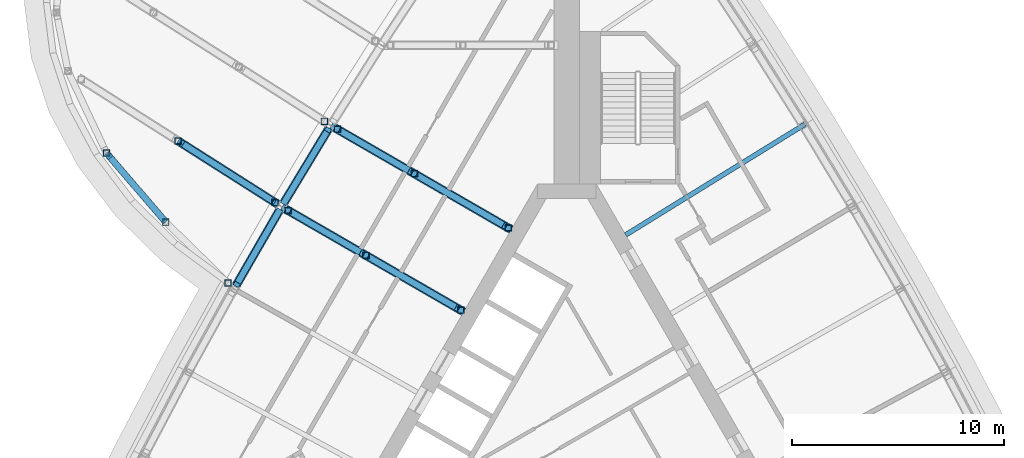
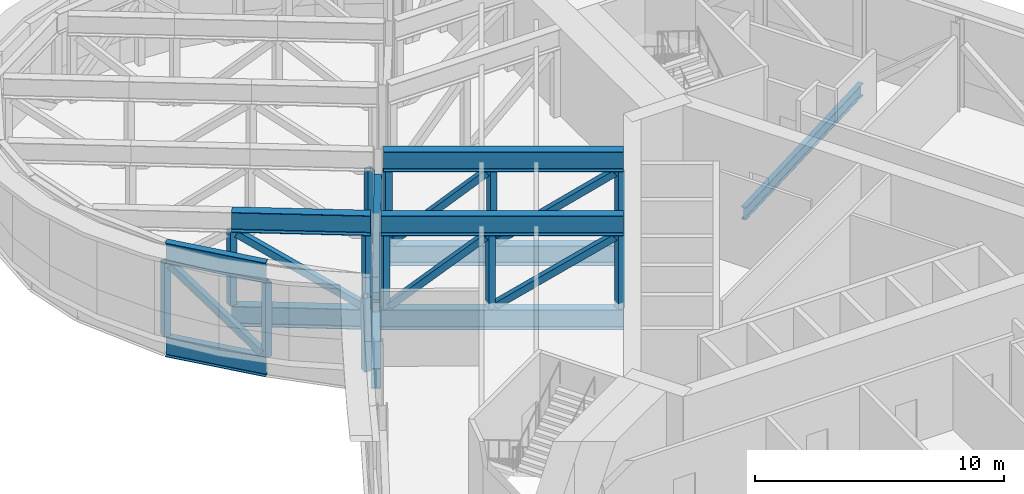
# One storey, part 2 of 11: 28 members, 3 beams.
"""IFC4 building model written with IfcOpenShell, lengths in metres."""

from ifc_helpers import new_model, si_unit, direction, frame, origin, origin_2d, place, context, subcontext, project, spatial, hollow_rectangle, i_section, extrude, material, material_profile, profile_set, type_object, element, save


model = new_model("IFC4")

# Units and contexts
model_context = context("Model", 3, precision=1e-05, world=origin(), true_north=direction((0.0, 1.0)))
body_context = subcontext(model_context, "Body", "Model", "MODEL_VIEW")
ifc_project = project(units=[si_unit("LENGTHUNIT", "METRE"), si_unit("AREAUNIT", "SQUARE_METRE"), si_unit("VOLUMEUNIT", "CUBIC_METRE"), si_unit("PLANEANGLEUNIT", "RADIAN"), si_unit("MASSUNIT", "GRAM", prefix="KILO")], contexts=[model_context])

# Site, building, storey
site_placement = place(None, origin())
site = spatial("IfcSite", under=ifc_project, at=site_placement, CompositionType="ELEMENT")
building_placement = place(site_placement, origin())
building = spatial("IfcBuilding", under=site, at=building_placement, Name="Noor Cloister Tower", CompositionType="ELEMENT")
storey_placement = place(building_placement, frame((0.0, 0.0, 87.0)))
storey = spatial("IfcBuildingStorey", under=building, at=storey_placement, Name="L22", CompositionType="ELEMENT", Elevation=87.0)

# Beams
ifc_material_1 = material(Name="Steel ASTM A992 Gr 50", Category="steel")
ifc_material_profile_1 = material_profile(ifc_material_1, i_section(OverallWidth=0.40087890625, OverallDepth=0.98291015625, WebThickness=0.0166015625, FlangeThickness=0.027099609375, FilletRadius=0.030029296875, at=origin_2d()), Name="W1000x296")
ifc_profile_set_1 = profile_set([ifc_material_profile_1], Name="Steel ASTM A992 Gr 50")
beam_type_1 = type_object("IfcBeamType", Name="Belt chord girder W1000x296", PredefinedType="BEAM", material=ifc_profile_set_1)
beam_1_placement = place(storey_placement, frame((-11.268310546875, 14.046875, -0.79150390625), z_axis=(-0.516963303411, -0.856007560087, 0.0), x_axis=(0.856007560087, -0.516963303411, 0.0)))
element("IfcBeam", 1, at=beam_1_placement, inside=storey, type_object=beam_type_1, Name="Spandrel beam NW 04 L22", PredefinedType="BEAM", context=body_context, shape_type="SweptSolid", body=[
    extrude(i_section(OverallWidth=0.40087890625, OverallDepth=0.98291015625, WebThickness=0.0166015625, FlangeThickness=0.027099609375, FilletRadius=0.030029296875, at=origin_2d()), origin(), (0.0, 0.0, 1.0), 4.0849609375),
])
beam_2_placement = place(storey_placement, frame((-13.58544921875, 10.2021484375, -0.79150390625), z_axis=(-0.499982843957, -0.866035308604, 0.0), x_axis=(0.866035308604, -0.499982843957, 0.0)))
element("IfcBeam", 2, at=beam_2_placement, inside=storey, type_object=beam_type_1, Name="Spandrel beam NW 05 L22", PredefinedType="BEAM", context=body_context, shape_type="SweptSolid", body=[
    extrude(i_section(OverallWidth=0.40087890625, OverallDepth=0.98291015625, WebThickness=0.0166015625, FlangeThickness=0.027099609375, FilletRadius=0.030029296875, at=origin_2d()), origin(), (0.0, 0.0, 1.0), 4.085205078125),
])

# Members
ifc_material_2 = material(Name="Steel ASTM A500 Gr C", Category="steel")
ifc_material_profile_2 = material_profile(ifc_material_2, hollow_rectangle(XDim=0.304931640625, YDim=0.304931640625, WallThickness=0.0126953125, at=origin_2d()), Name="HSS304.8x304.8x12.7")
ifc_profile_set_2 = profile_set([ifc_material_profile_2], Name="Steel ASTM A500 Gr C")
member_type_1 = type_object("IfcMemberType", Name="Belt truss diagonal HSS304.8x304.8x12.7", PredefinedType="BRACE", material=ifc_profile_set_2)
for number, where, z_axis, x_axis, name in (
    (3, (-13.3564453125, 10.5888671875, -0.18359375), (0.394388578929, 0.653117186697, 0.646448442841), (-0.856033315914, 0.51692065353, 0.0), "Belt truss diagonal NW 04 L22"),
    (4, (-13.608154296875, 10.16259765625, -0.18359375), (-0.381477543181, -0.660730297284, 0.646459865962), (0.866022720283, -0.500004647933, 0.0), "Belt truss diagonal NW 05 L22"),
):
    element("IfcMember", number, at=place(storey_placement, frame(where, z_axis=z_axis, x_axis=x_axis)), inside=storey, type_object=member_type_1, Name=name, PredefinedType="BRACE", context=body_context, shape_type="SweptSolid", body=[
        extrude(hollow_rectangle(XDim=0.304931640625, YDim=0.304931640625, WallThickness=0.0126953125, at=origin_2d()), origin(), (0.0, 0.0, 1.0), 5.235107421875),
    ])
ifc_material_3 = material(Name="Steel ASTM A992 Gr 50", Category="steel")
ifc_material_profile_3 = material_profile(ifc_material_3, i_section(OverallWidth=0.300048828125, OverallDepth=0.97998046875, WebThickness=0.0166015625, FlangeThickness=0.026123046875, FilletRadius=0.02978515625, at=origin_2d()), Name="W1000x249")
ifc_profile_set_3 = profile_set([ifc_material_profile_3], Name="Steel ASTM A992 Gr 50")
member_type_2 = type_object("IfcMemberType", Name="Pod ring chord W1000x249", PredefinedType="CHORD", material=ifc_profile_set_3)
for number, where, z_axis, x_axis, name in (
    (5, (-21.745849609375, 12.897216796875, -0.7900390625), (0.651308955822, -0.758812654129, 0.0), (0.758812654129, 0.651308955822, 0.0), "Pod truss 2 bottom chord ring 10"),
    (6, (-21.745849609375, 12.897216796875, 3.81005859375), (0.651308955822, -0.758812654129, 0.0), (0.758812654129, 0.651308955822, 0.0), "Pod truss 2 top chord ring 10"),
):
    element("IfcMember", number, at=place(storey_placement, frame(where, z_axis=z_axis, x_axis=x_axis)), inside=storey, type_object=member_type_2, Name=name, PredefinedType="CHORD", context=body_context, shape_type="SweptSolid", body=[
        extrude(i_section(OverallWidth=0.300048828125, OverallDepth=0.97998046875, WebThickness=0.0166015625, FlangeThickness=0.026123046875, FilletRadius=0.02978515625, at=origin_2d()), origin(), (0.0, 0.0, 1.0), 4.271728515625),
    ])
ifc_material_4 = material(Name="Steel ASTM A992 Gr 50", Category="steel")
ifc_material_profile_4 = material_profile(ifc_material_4, i_section(OverallWidth=0.40087890625, OverallDepth=0.98291015625, WebThickness=0.0166015625, FlangeThickness=0.027099609375, FilletRadius=0.030029296875, at=origin_2d()), Name="W1000x296")
ifc_profile_set_4 = profile_set([ifc_material_profile_4], Name="Steel ASTM A992 Gr 50")
member_type_3 = type_object("IfcMemberType", Name="Pod truss chord W1000x296", PredefinedType="CHORD", material=ifc_profile_set_4)
member_1_placement = place(storey_placement, frame((-11.1357421875, 14.20361328125, -0.79150390625), z_axis=(0.866027806414, -0.4999958385, 0.0), x_axis=(0.4999958385, 0.866027806414, 0.0)))
element("IfcMember", 7, at=member_1_placement, inside=storey, type_object=member_type_3, Name="Pod truss 2 bottom chord line 4 back span", PredefinedType="CHORD", context=body_context, shape_type="SweptSolid", body=[
    extrude(i_section(OverallWidth=0.40087890625, OverallDepth=0.98291015625, WebThickness=0.0166015625, FlangeThickness=0.027099609375, FilletRadius=0.030029296875, at=origin_2d()), origin(), (0.0, 0.0, 1.0), 9.8173828125),
])
member_2_placement = place(storey_placement, frame((-10.98291015625, 14.115478515625, 3.80859375), z_axis=(0.866023231087, -0.500003763204, 0.0), x_axis=(0.500003763204, 0.866023231087, 0.0)))
element("IfcMember", 8, at=member_2_placement, inside=storey, type_object=member_type_3, Name="Pod truss 2 top chord line 4 back span", PredefinedType="CHORD", context=body_context, shape_type="SweptSolid", body=[
    extrude(i_section(OverallWidth=0.40087890625, OverallDepth=0.98291015625, WebThickness=0.0166015625, FlangeThickness=0.027099609375, FilletRadius=0.030029296875, at=origin_2d()), origin(), (0.0, 0.0, 1.0), 9.64111328125),
])
member_3_placement = place(storey_placement, frame((-13.809326171875, 10.58349609375, -0.79150390625), z_axis=(-0.844003509746, 0.536337650679, 0.0), x_axis=(-0.536337650679, -0.844003509746, 0.0)))
element("IfcMember", 9, at=member_3_placement, inside=storey, type_object=member_type_3, Name="Pod truss 2 bottom chord line 5 cantilever 1", PredefinedType="CHORD", context=body_context, shape_type="SweptSolid", body=[
    extrude(i_section(OverallWidth=0.40087890625, OverallDepth=0.98291015625, WebThickness=0.0166015625, FlangeThickness=0.027099609375, FilletRadius=0.030029296875, at=origin_2d()), origin(), (0.0, 0.0, 1.0), 5.405517578125),
])
member_4_placement = place(storey_placement, frame((-13.661376953125, 10.489501953125, 3.80859375), z_axis=(-0.844005369538, 0.536334724021, 0.0), x_axis=(-0.536334724021, -0.844005369538, 0.0)))
element("IfcMember", 10, at=member_4_placement, inside=storey, type_object=member_type_3, Name="Pod truss 2 top chord line 5 cantilever 1", PredefinedType="CHORD", context=body_context, shape_type="SweptSolid", body=[
    extrude(i_section(OverallWidth=0.40087890625, OverallDepth=0.98291015625, WebThickness=0.0166015625, FlangeThickness=0.027099609375, FilletRadius=0.030029296875, at=origin_2d()), origin(), (0.0, 0.0, 1.0), 5.580810546875),
])
member_5_placement = place(storey_placement, frame((-13.458984375, 10.3623046875, -0.79150390625), z_axis=(0.866028440264, -0.499994740626, 0.0), x_axis=(0.499994740626, 0.866028440264, 0.0)))
element("IfcMember", 11, at=member_5_placement, inside=storey, type_object=member_type_3, Name="Pod truss 2 bottom chord line 5 back span", PredefinedType="CHORD", context=body_context, shape_type="SweptSolid", body=[
    extrude(i_section(OverallWidth=0.40087890625, OverallDepth=0.98291015625, WebThickness=0.0166015625, FlangeThickness=0.027099609375, FilletRadius=0.030029296875, at=origin_2d()), origin(), (0.0, 0.0, 1.0), 9.90869140625),
])
member_6_placement = place(storey_placement, frame((-13.306884765625, 10.274658203125, 3.80859375), z_axis=(0.866021009194, -0.500007611576, 0.0), x_axis=(0.500007611576, 0.866021009194, 0.0)))
element("IfcMember", 12, at=member_6_placement, inside=storey, type_object=member_type_3, Name="Pod truss 2 top chord line 5 back span", PredefinedType="CHORD", context=body_context, shape_type="SweptSolid", body=[
    extrude(i_section(OverallWidth=0.40087890625, OverallDepth=0.98291015625, WebThickness=0.0166015625, FlangeThickness=0.027099609375, FilletRadius=0.030029296875, at=origin_2d()), origin(), (0.0, 0.0, 1.0), 9.733154296875),
])
ifc_material_5 = material(Name="Steel ASTM A500 Gr C", Category="steel")
ifc_material_profile_5 = material_profile(ifc_material_5, hollow_rectangle(XDim=0.304931640625, YDim=0.304931640625, WallThickness=0.0126953125, at=origin_2d()), Name="HSS304.8x304.8x12.7")
ifc_profile_set_5 = profile_set([ifc_material_profile_5], Name="Steel ASTM A500 Gr C")
member_type_4 = type_object("IfcMemberType", Name="Pod truss diagonal HSS304.8x304.8x12.7", PredefinedType="BRACE", material=ifc_profile_set_5)
member_7_placement = place(storey_placement, frame((-21.63037109375, 12.7626953125, 3.204833984375), z_axis=(0.491758698083, -0.572939261033, -0.65567826411), x_axis=(0.758819338464, 0.651301168103, 0.0)))
element("IfcMember", 13, at=member_7_placement, inside=storey, type_object=member_type_4, Name="Pod truss 2 diagonal ring 10", PredefinedType="BRACE", context=body_context, shape_type="SweptSolid", body=[
    extrude(hollow_rectangle(XDim=0.304931640625, YDim=0.304931640625, WallThickness=0.0126953125, at=origin_2d()), origin(), (0.0, 0.0, 1.0), 5.169677734375),
])
member_8_placement = place(storey_placement, frame((-10.679931640625, 13.9404296875, -0.18603515625), z_axis=(0.646794730474, -0.373408748633, 0.664998107572), x_axis=(0.499981559197, 0.866036050325, 0.0)))
element("IfcMember", 14, at=member_8_placement, inside=storey, type_object=member_type_4, Name="Pod truss 2 diagonal line 4 back span 1", PredefinedType="BRACE", context=body_context, shape_type="SweptSolid", body=[
    extrude(hollow_rectangle(XDim=0.304931640625, YDim=0.304931640625, WallThickness=0.0126953125, at=origin_2d()), origin(), (0.0, 0.0, 1.0), 5.096435546875),
])
member_9_placement = place(storey_placement, frame((-7.04150390625, 11.83984375, -0.17578125), z_axis=(0.705917782742, -0.40756223857, 0.579286721495), x_axis=(0.500000383388, 0.866025182435, 0.0)))
element("IfcMember", 15, at=member_9_placement, inside=storey, type_object=member_type_4, Name="Pod truss 2 diagonal line 4 back span 2", PredefinedType="BRACE", context=body_context, shape_type="SweptSolid", body=[
    extrude(hollow_rectangle(XDim=0.304931640625, YDim=0.304931640625, WallThickness=0.0126953125, at=origin_2d()), origin(), (0.0, 0.0, 1.0), 5.814697265625),
])
member_10_placement = place(storey_placement, frame((-13.956787109375, 10.67724609375, -0.173095703125), z_axis=(-0.701752445508, 0.4459354477, 0.555594349961), x_axis=(-0.536332397554, -0.844006847919, 0.0)))
element("IfcMember", 16, at=member_10_placement, inside=storey, type_object=member_type_4, Name="Pod truss 2 diagonal line 5 cantilever 1", PredefinedType="BRACE", context=body_context, shape_type="SweptSolid", body=[
    extrude(hollow_rectangle(XDim=0.304931640625, YDim=0.304931640625, WallThickness=0.0126953125, at=origin_2d()), origin(), (0.0, 0.0, 1.0), 6.053466796875),
])
member_11_placement = place(storey_placement, frame((-13.00390625, 10.099609375, -0.185546875), z_axis=(0.649960866608, -0.375242994276, 0.660865770883), x_axis=(0.499987921047, 0.866032377459, 0.0)))
element("IfcMember", 17, at=member_11_placement, inside=storey, type_object=member_type_4, Name="Pod truss 2 diagonal line 5 back span 1", PredefinedType="BRACE", context=body_context, shape_type="SweptSolid", body=[
    extrude(hollow_rectangle(XDim=0.304931640625, YDim=0.304931640625, WallThickness=0.0126953125, at=origin_2d()), origin(), (0.0, 0.0, 1.0), 5.126953125),
])
member_12_placement = place(storey_placement, frame((-9.32958984375, 7.978271484375, -0.17529296875), z_axis=(0.708494079415, -0.409052869601, 0.575075550954), x_axis=(0.500003320615, 0.866023486618, 0.0)))
element("IfcMember", 18, at=member_12_placement, inside=storey, type_object=member_type_4, Name="Pod truss 2 diagonal line 5 back span 2", PredefinedType="BRACE", context=body_context, shape_type="SweptSolid", body=[
    extrude(hollow_rectangle(XDim=0.304931640625, YDim=0.304931640625, WallThickness=0.0126953125, at=origin_2d()), origin(), (0.0, 0.0, 1.0), 5.855712890625),
])
ifc_material_6 = material(Name="Steel ASTM A500 Gr C", Category="steel")
ifc_material_profile_6 = material_profile(ifc_material_6, hollow_rectangle(XDim=0.304931640625, YDim=0.304931640625, WallThickness=0.0126953125, at=origin_2d()), Name="HSS304.8x304.8x12.7")
ifc_profile_set_6 = profile_set([ifc_material_profile_6], Name="Steel ASTM A500 Gr C")
member_type_5 = type_object("IfcMemberType", Name="Pod truss post HSS304.8x304.8x12.7", PredefinedType="POST", material=ifc_profile_set_6)
for number, where, z_axis, x_axis, name in (
    (19, (-21.759033203125, 12.91259765625, -0.300048828125), (0.0, 0.0, 1.0), (1.0, 0.0, 0.0), "Pod truss 2 post ring node 9"),
    (20, (-18.95947265625, 9.65087890625, -0.300048828125), (0.0, 0.0, 1.0), (1.0, 0.0, 0.0), "Pod truss 2 post ring node 10"),
    (21, (-16.015380859375, 6.76953125, -0.300048828125), (0.0, 0.0, 1.0), (1.0, 0.0, 0.0), "Pod truss 2 post ring node 11"),
):
    element("IfcMember", number, at=place(storey_placement, frame(where, z_axis=z_axis, x_axis=x_axis)), inside=storey, type_object=member_type_5, Name=name, PredefinedType="POST", context=body_context, shape_type="SweptSolid", body=[
        extrude(hollow_rectangle(XDim=0.304931640625, YDim=0.304931640625, WallThickness=0.0126953125, at=origin_2d()), origin(), (0.0, 0.0, 1.0), 3.6201171875),
    ])
for number, where, z_axis, x_axis, name in (
    (22, (-11.466064453125, 14.411865234375, -0.300048828125), (0.0, 0.0, 1.0), (1.0, 0.0, 0.0), "Pod truss 2 post line 4 cantilever 1"),
    (23, (-10.850830078125, 14.0390625, -0.300048828125), (0.0, 0.0, 1.0), (1.0, 0.0, 0.0), "Pod truss 2 post line 4 back span 1"),
    (24, (-7.212646484375, 11.9384765625, -0.300048828125), (0.0, 0.0, 1.0), (1.0, 0.0, 0.0), "Pod truss 2 post line 4 back span 2"),
    (25, (-2.765625, 9.37109375, -0.300048828125), (0.0, 0.0, 1.0), (1.0, 0.0, 0.0), "Pod truss 2 post line 4 back span 3"),
    (26, (-13.7900390625, 10.5712890625, -0.300048828125), (0.0, 0.0, 1.0), (1.0, 0.0, 0.0), "Pod truss 2 post line 5 cantilever 1"),
    (27, (-18.37158203125, 13.482666015625, -0.300048828125), (0.0, 0.0, 1.0), (1.0, 0.0, 0.0), "Pod truss 2 post line 5 cantilever 2"),
    (28, (-13.1748046875, 10.1982421875, -0.300048828125), (0.0, 0.0, 1.0), (1.0, 0.0, 0.0), "Pod truss 2 post line 5 back span 1"),
    (29, (-9.500732421875, 8.076904296875, -0.300048828125), (0.0, 0.0, 1.0), (1.0, 0.0, 0.0), "Pod truss 2 post line 5 back span 2"),
    (30, (-5.009765625, 5.484130859375, -0.300048828125), (0.0, 0.0, 1.0), (1.0, 0.0, 0.0), "Pod truss 2 post line 5 back span 3"),
):
    element("IfcMember", number, at=place(storey_placement, frame(where, z_axis=z_axis, x_axis=x_axis)), inside=storey, type_object=member_type_5, Name=name, PredefinedType="POST", context=body_context, shape_type="SweptSolid", body=[
        extrude(hollow_rectangle(XDim=0.304931640625, YDim=0.304931640625, WallThickness=0.0126953125, at=origin_2d()), origin(), (0.0, 0.0, 1.0), 3.616943359375),
    ])

# Beam
ifc_material_7 = material(Name="Steel ASTM A992 Gr 50", Category="steel")
ifc_material_profile_7 = material_profile(ifc_material_7, i_section(OverallWidth=0.22802734375, OverallDepth=0.60205078125, WebThickness=0.010498046875, FlangeThickness=0.014892578125, FilletRadius=0.0126953125, at=origin_2d()), Name="W610x101")
ifc_profile_set_7 = profile_set([ifc_material_profile_7], Name="Steel ASTM A992 Gr 50")
beam_type_2 = type_object("IfcBeamType", Name="Radial beam W610x101", PredefinedType="BEAM", material=ifc_profile_set_7)
beam_3_placement = place(storey_placement, frame((11.246337890625, 14.270751953125, -0.60107421875), z_axis=(-0.850888316625, -0.525346621414, 0.0), x_axis=(0.525346621414, -0.850888316625, 0.0)))
element("IfcBeam", 31, at=beam_3_placement, inside=storey, type_object=beam_type_2, Name="Radial beam NE 07 L22", PredefinedType="BEAM", context=body_context, shape_type="SweptSolid", body=[
    extrude(i_section(OverallWidth=0.22802734375, OverallDepth=0.60205078125, WebThickness=0.010498046875, FlangeThickness=0.014892578125, FilletRadius=0.0126953125, at=origin_2d()), origin(), (0.0, 0.0, 1.0), 9.951171875),
])

save(model, "model.ifc")
